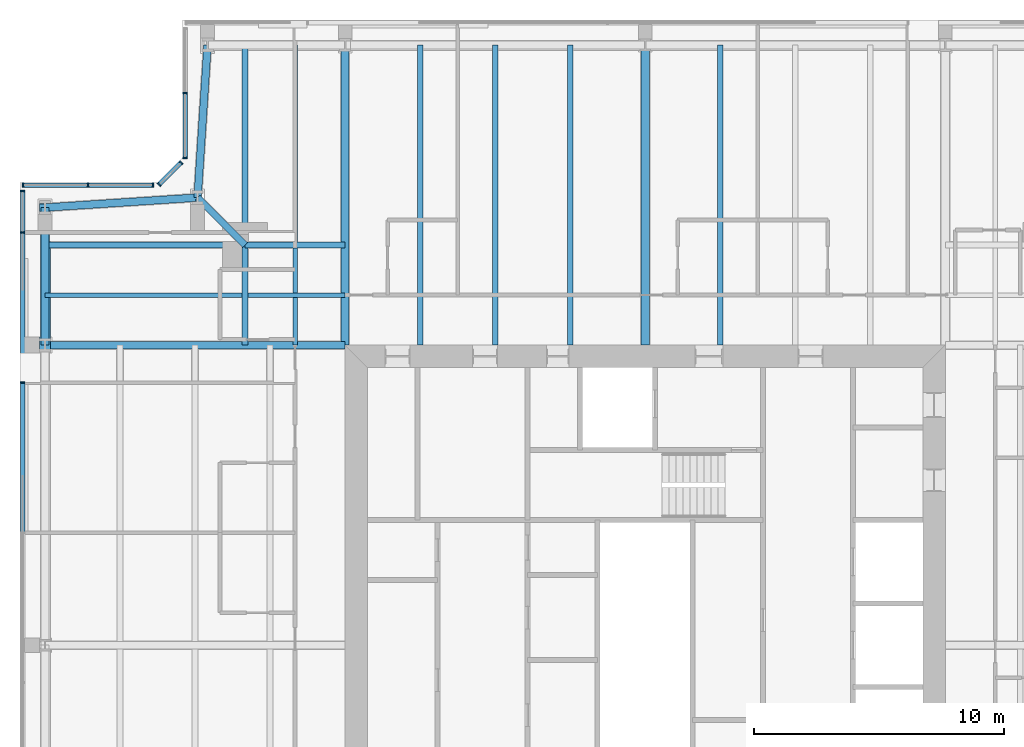
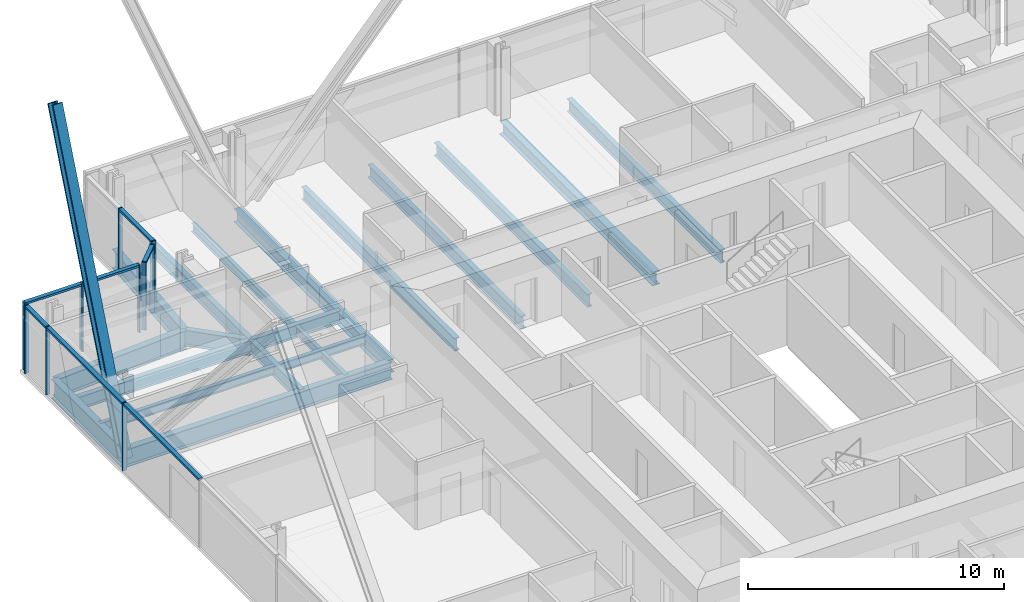
# One storey, part 7 of 18: 20 beams, 18 members, 4 elements without a shape of their own.
"""IFC4 building model written with IfcOpenShell, lengths in metres."""

import ifcopenshell
import ifcopenshell.guid

model = None  # the IFC model being written
_history = None  # IfcOwnerHistory: only IFC2X3 demands one
_inside = {}  # id of a spatial element -> (the spatial element, [elements in it])
_under = {}  # id of a project, library or spatial element -> (it, [spatial elements below it])
_declared = {}  # id of a project -> (the project, [libraries it declares])
_typed = {}  # id of a type object -> (the type object, [elements of that type])
_made_of = {}  # id of a material, layer set ... -> (it, [elements and type objects made of it])


def new_model(schema):
    """Start an empty IFC model of exactly this schema.

    Asked for "IFC4X3", IfcOpenShell would pick the latest addendum, in which some entities
    have other attributes; the version numbers below select the first issue.
    IFC2X3 requires an IfcOwnerHistory on every rooted entity: one is made here for all.
    """
    global model, _history
    if schema == "IFC4X3":
        model = ifcopenshell.file(schema_version=(4, 3, 0, 0))
    else:
        model = ifcopenshell.file(schema=schema)
    _inside.clear()
    _under.clear()
    _declared.clear()
    _typed.clear()
    _made_of.clear()
    _history = None
    if model.schema == "IFC2X3":
        org = make("IfcOrganization", Name="unknown")
        user = make(
            "IfcPersonAndOrganization",
            ThePerson=make("IfcPerson", FamilyName="unknown"),
            TheOrganization=org,
        )
        app = make(
            "IfcApplication",
            ApplicationDeveloper=org,
            Version="unknown",
            ApplicationFullName="unknown",
            ApplicationIdentifier="unknown",
        )
        _history = make(
            "IfcOwnerHistory",
            OwningUser=user,
            OwningApplication=app,
            ChangeAction="ADDED",
            CreationDate=0,
        )
    return model


def make(cls, **values):
    """One entity of the class cls with the attributes given. An attribute that is None is left unset."""
    return model.create_entity(
        cls, **{name: value for name, value in values.items() if value is not None}
    )


def rooted(cls, **values):
    """An entity with a GlobalId (a new one), such as an element, a storey or a relation."""
    return make(cls, GlobalId=ifcopenshell.guid.new(), OwnerHistory=_history, **values)


def si_unit(unit_type, name, prefix=None):
    """IfcSIUnit, for example si_unit("LENGTHUNIT", "METRE", prefix="MILLI")."""
    return make("IfcSIUnit", UnitType=unit_type, Prefix=prefix, Name=name)


def assignment(units):
    """IfcUnitAssignment: the units of a project."""
    return None if units is None else make("IfcUnitAssignment", Units=units)


def point(xyz):
    """IfcCartesianPoint."""
    return None if xyz is None else make("IfcCartesianPoint", Coordinates=xyz)


def direction(xyz):
    """IfcDirection."""
    return None if xyz is None else make("IfcDirection", DirectionRatios=xyz)


def frame(location, z_axis=None, x_axis=None):
    """IfcAxis2Placement3D, a coordinate frame: its origin and axes. An axis left out is left unset."""
    return make(
        "IfcAxis2Placement3D",
        Location=point(location),
        Axis=direction(z_axis),
        RefDirection=direction(x_axis),
    )


def frame_2d(location, x_axis=None):
    """IfcAxis2Placement2D, a coordinate frame in the plane: its origin and x axis."""
    return make(
        "IfcAxis2Placement2D", Location=point(location), RefDirection=direction(x_axis)
    )


def origin():
    """The frame at (0, 0, 0) with its axes left unset."""
    return frame((0.0, 0.0, 0.0))


def origin_2d():
    """The frame at (0, 0) in the plane with its x axis left unset."""
    return frame_2d((0.0, 0.0))


def place(relative_to, where):
    """IfcLocalPlacement: puts the frame where relative to a parent placement (None: the world)."""
    return make(
        "IfcLocalPlacement", PlacementRelTo=relative_to, RelativePlacement=where
    )


def context(
    kind, dimensions, precision=None, world=None, true_north=None, identifier=None
):
    """IfcGeometricRepresentationContext, for example the 3D "Model" context."""
    return make(
        "IfcGeometricRepresentationContext",
        ContextIdentifier=identifier,
        ContextType=kind,
        CoordinateSpaceDimension=dimensions,
        Precision=precision,
        WorldCoordinateSystem=world,
        TrueNorth=true_north,
    )


def subcontext(parent, identifier, kind, view, scale=None):
    """IfcGeometricRepresentationSubContext, for example "Body" below "Model"."""
    return make(
        "IfcGeometricRepresentationSubContext",
        ContextIdentifier=identifier,
        ContextType=kind,
        ParentContext=parent,
        TargetScale=scale,
        TargetView=view,
    )


def project(units=None, contexts=None):
    """IfcProject with its units and contexts."""
    return rooted(
        "IfcProject",
        Name="project",
        RepresentationContexts=contexts,
        UnitsInContext=assignment(units),
    )


def spatial(cls, under=None, at=None, **own):
    """A site, building, storey or space (cls), placed at a placement, below another one or the project."""
    s = rooted(cls, ObjectPlacement=at, **own)
    if under is not None:
        _under.setdefault(under.id(), (under, []))[1].append(s)
    return s


def profile(cls, at=None, kind="AREA", **sizes):
    """A parametric profile (cls). Its sizes go by their IFC names, for example OverallWidth=200.0."""
    return make(cls, ProfileType=kind, Position=at, **sizes)


def rectangle(**sizes):
    """IfcRectangleProfileDef."""
    return profile("IfcRectangleProfileDef", **sizes)


def i_section(**sizes):
    """IfcIShapeProfileDef."""
    return profile("IfcIShapeProfileDef", **sizes)


def extrude(swept, where, along, depth):
    """IfcExtrudedAreaSolid: the profile swept, set in the frame where, extruded along a direction by depth."""
    return make(
        "IfcExtrudedAreaSolid",
        SweptArea=swept,
        Position=where,
        ExtrudedDirection=direction(along),
        Depth=depth,
    )


def shape(context_of_items, identifier, shape_type, items):
    """IfcShapeRepresentation: the items that make up one representation, for example the "Body"."""
    return make(
        "IfcShapeRepresentation",
        ContextOfItems=context_of_items,
        RepresentationIdentifier=identifier,
        RepresentationType=shape_type,
        Items=items,
    )


def material(Name=None, Category=None):
    """IfcMaterial."""
    return make("IfcMaterial", Name=Name, Category=Category)


def material_profile(
    of_material, cross_section, Name=None, Category=None, Priority=None
):
    """IfcMaterialProfile: a cross section and its material."""
    return make(
        "IfcMaterialProfile",
        Name=Name,
        Material=of_material,
        Profile=cross_section,
        Priority=Priority,
        Category=Category,
    )


def profile_set(profiles, Name=None, composite=None):
    """IfcMaterialProfileSet."""
    return make(
        "IfcMaterialProfileSet",
        Name=Name,
        MaterialProfiles=profiles,
        CompositeProfile=composite,
    )


def made_of(thing, what):
    """Note that an element or type object is made of a material, layer set ...; save() writes the relation."""
    if what is not None:
        _made_of.setdefault(what.id(), (what, []))[1].append(thing)
    return thing


def type_object(cls, material=None, **own):
    """A type object (cls), such as IfcWallType, which elements share."""
    return made_of(rooted(cls, **own), material)


def element(
    cls,
    number,
    at=None,
    inside=None,
    cuts=None,
    type_object=None,
    material=None,
    context=None,
    identifier="Body",
    shape_type=None,
    held_by="IfcProductDefinitionShape",
    body=None,
    shapes=None,
    **own,
):
    """One element of the class cls, such as IfcWall. Its Tag is "e" and its number.

    at: its placement. inside: the storey or other place that contains it. cuts: it is an
    opening in that element (IfcRelVoidsElement). A single representation is given by context,
    identifier, shape_type and body (its items); several are given by shapes. held_by: the class
    of the entity that holds the representations. save() writes the other relations.
    """
    e = rooted(cls, Tag="e%d" % number, ObjectPlacement=at, **own)
    if body is not None:
        shapes = [shape(context, identifier, shape_type, body)]
    if shapes is not None:
        e.Representation = make(held_by, Representations=shapes)
    if inside is not None:
        _inside.setdefault(inside.id(), (inside, []))[1].append(e)
    if cuts is not None:
        rooted(
            "IfcRelVoidsElement", RelatingBuildingElement=cuts, RelatedOpeningElement=e
        )
    if type_object is not None:
        _typed.setdefault(type_object.id(), (type_object, []))[1].append(e)
    return made_of(e, material)


def aggregate(whole, parts):
    """IfcRelAggregates: a whole, such as a stair, and the parts it consists of."""
    return rooted("IfcRelAggregates", RelatingObject=whole, RelatedObjects=parts)


def save(model, path):
    """Write the relations noted so far, then the file.

    IfcRelAggregates (storeys below a building ...), IfcRelContainedInSpatialStructure (elements
    in a storey), IfcRelDefinesByType, IfcRelAssociatesMaterial and IfcRelDeclares: one each for
    every whole, place, type object, material and project.
    """
    for whole, parts in _under.values():
        aggregate(whole, parts)
    for where, things in _inside.values():
        rooted(
            "IfcRelContainedInSpatialStructure",
            RelatedElements=things,
            RelatingStructure=where,
        )
    for kind, things in _typed.values():
        rooted("IfcRelDefinesByType", RelatedObjects=things, RelatingType=kind)
    for what, things in _made_of.values():
        rooted("IfcRelAssociatesMaterial", RelatedObjects=things, RelatingMaterial=what)
    for by, libraries in _declared.values():
        rooted("IfcRelDeclares", RelatingContext=by, RelatedDefinitions=libraries)
    model.write(path)


model = new_model("IFC4")

# Units and contexts
model_context = context("Model", 3, precision=1e-05, world=origin(), true_north=direction((0.0, 1.0)))
body_context = subcontext(model_context, "Body", "Model", "MODEL_VIEW")
ifc_project = project(units=[si_unit("LENGTHUNIT", "METRE"), si_unit("AREAUNIT", "SQUARE_METRE"), si_unit("VOLUMEUNIT", "CUBIC_METRE"), si_unit("PLANEANGLEUNIT", "RADIAN"), si_unit("MASSUNIT", "GRAM", prefix="KILO")], contexts=[model_context])

# Site, building, storey
site_placement = place(None, origin())
site = spatial("IfcSite", under=ifc_project, at=site_placement, CompositionType="ELEMENT")
building_placement = place(site_placement, origin())
building = spatial("IfcBuilding", under=site, at=building_placement, Name="Fenwick Lantern Interchange", CompositionType="ELEMENT")
storey_placement = place(building_placement, frame((0.0, 0.0, 269.60009765625)))
storey = spatial("IfcBuildingStorey", under=building, at=storey_placement, Name="L64", CompositionType="ELEMENT", Elevation=269.60009765625)

# Beams
ifc_material_1 = material(Name="Steel ASTM A992 Grade 50", Category="steel")
ifc_material_profile_1 = material_profile(ifc_material_1, i_section(OverallWidth=0.3046875, OverallDepth=0.911865234375, WebThickness=0.015869140625, FlangeThickness=0.02392578125, at=origin_2d()), Name="W36X150")
ifc_profile_set_1 = profile_set([ifc_material_profile_1], Name="Steel ASTM A992 Grade 50")
beam_type_1 = type_object("IfcBeamType", Name="EDGE BEAM W36X150", PredefinedType="SPANDREL", material=ifc_profile_set_1)
for number, where, z_axis, x_axis, name in (
    (1, (7.5, 49.0, -0.60595703125), (-0.065416293237, -0.997858060337, 0.0), (0.997858060337, -0.065416293237, 0.0), "L64/FR/N/EBR1"),
    (2, (7.10009765625, 42.89990234375, -0.60595703125), (-0.997858060337, -0.065416293237, 0.0), (0.065416293237, -0.997858060337, 0.0), "L64/FR/N/EBR2"),
):
    element("IfcBeam", number, at=place(storey_placement, frame(where, z_axis=z_axis, x_axis=x_axis)), inside=storey, type_object=beam_type_1, Name=name, PredefinedType="SPANDREL", context=body_context, shape_type="SweptSolid", body=[
        extrude(i_section(OverallWidth=0.3046875, OverallDepth=0.911865234375, WebThickness=0.015869140625, FlangeThickness=0.02392578125, at=origin_2d()), origin(), (0.0, 0.0, 1.0), 6.11328125),
    ])
beam_1_placement = place(storey_placement, frame((1.0, 42.5, -0.60595703125), z_axis=(0.0, -1.0, 0.0), x_axis=(1.0, 0.0, 0.0)))
element("IfcBeam", 3, at=beam_1_placement, inside=storey, type_object=beam_type_1, Name="L64/FR/W/EB1", PredefinedType="SPANDREL", context=body_context, shape_type="SweptSolid", body=[
    extrude(i_section(OverallWidth=0.3046875, OverallDepth=0.911865234375, WebThickness=0.015869140625, FlangeThickness=0.02392578125, at=origin_2d()), origin(), (0.0, 0.0, 1.0), 5.5),
])

# Member
ifc_material_profile_2 = material_profile(ifc_material_1, i_section(OverallWidth=0.424072265625, OverallDepth=0.47509765625, WebThickness=0.0478515625, FlangeThickness=0.0771484375, at=origin_2d()), Name="W14X426")
ifc_profile_set_2 = profile_set([ifc_material_profile_2], Name="Steel ASTM A992 Grade 50")
member_type_1 = type_object("IfcMemberType", Name="FACADE BRACE W14X426", PredefinedType="BRACE", material=ifc_profile_set_2)
member_1_placement = place(storey_placement, frame((1.0, 37.0, -0.60595703125), z_axis=(0.0, 0.37491730453, 0.92705825856), x_axis=(-1.0, 0.0, 0.0)))
element("IfcMember", 4, at=member_1_placement, inside=storey, type_object=member_type_1, Name="L64/FB/W/AE", PredefinedType="BRACE", context=body_context, shape_type="SweptSolid", body=[
    extrude(i_section(OverallWidth=0.424072265625, OverallDepth=0.47509765625, WebThickness=0.0478515625, FlangeThickness=0.0771484375, at=origin_2d()), origin(), (0.0, 0.0, 1.0), 14.669921875),
])

# Beams
ifc_material_profile_3 = material_profile(ifc_material_1, i_section(OverallWidth=0.22900390625, OverallDepth=0.612060546875, WebThickness=0.011962890625, FlangeThickness=0.01953125, at=origin_2d()), Name="W24X84")
ifc_profile_set_3 = profile_set([ifc_material_profile_3], Name="Steel ASTM A992 Grade 50")
beam_type_2 = type_object("IfcBeamType", Name="FLOOR BEAM W24X84", PredefinedType="BEAM", material=ifc_profile_set_3)
for number, where, z_axis, x_axis, name in (
    (5, (28.0, 49.0, -0.4560546875), (0.0, -1.0, 0.0), (1.0, 0.0, 0.0), "L64/FR/N/R04"),
    (6, (22.0, 49.0, -0.4560546875), (0.0, -1.0, 0.0), (1.0, 0.0, 0.0), "L64/FR/N/R06"),
    (7, (19.0, 49.0, -0.4560546875), (0.0, -1.0, 0.0), (1.0, 0.0, 0.0), "L64/FR/N/R07"),
    (8, (16.0, 49.0, -0.4560546875), (0.0, -1.0, 0.0), (1.0, 0.0, 0.0), "L64/FR/N/R08"),
):
    element("IfcBeam", number, at=place(storey_placement, frame(where, z_axis=z_axis, x_axis=x_axis)), inside=storey, type_object=beam_type_2, Name=name, PredefinedType="BEAM", context=body_context, shape_type="SweptSolid", body=[
        extrude(i_section(OverallWidth=0.22900390625, OverallDepth=0.612060546875, WebThickness=0.011962890625, FlangeThickness=0.01953125, at=origin_2d()), origin(), (0.0, 0.0, 1.0), 12.0),
    ])

# Curtain wall, members
ifc_material_2 = material(Name="Aluminium curtain wall frame", Category="aluminium")
curtain_wall_type = type_object("IfcCurtainWallType", Name="HOTEL CURTAIN WALL", PredefinedType="USERDEFINED", material=ifc_material_2)
curtain_wall_1_placement = place(storey_placement, origin())
curtain_wall_1 = element("IfcCurtainWall", 9, at=curtain_wall_1_placement, inside=storey, type_object=curtain_wall_type, Name="Hotel curtain wall 10", ObjectType="HOTEL CURTAIN WALL", PredefinedType="USERDEFINED")
ifc_material_3 = material(Name="Aluminium extrusion", Category="aluminium")
ifc_material_profile_4 = material_profile(ifc_material_3, rectangle(XDim=0.179931640625, YDim=0.06005859375, at=origin_2d()), Name="HOTEL CURTAIN WALL MULLION 60 X 180")
ifc_profile_set_4 = profile_set([ifc_material_profile_4], Name="Aluminium extrusion")
member_type_2 = type_object("IfcMemberType", Name="HOTEL CURTAIN WALL MULLION 60 X 180", PredefinedType="MULLION", material=ifc_profile_set_4)
member_2_placement = place(storey_placement, frame((6.60009765625, 47.079345703125, 0.0), z_axis=(0.0, 0.0, 1.0), x_axis=(1.0, 0.0, 0.0)))
member_2 = element("IfcMember", 10, at=member_2_placement, type_object=member_type_2, Name="L64/CW/10/M01", PredefinedType="MULLION", context=body_context, shape_type="SweptSolid", body=[
    extrude(rectangle(XDim=0.179931640625, YDim=0.06005859375, at=origin_2d()), origin(), (0.0, 0.0, 1.0), 3.25),
])
member_3_placement = place(storey_placement, frame((6.60009765625, 44.488525390625, 0.0), z_axis=(0.0, 0.0, 1.0), x_axis=(1.0, 0.0, 0.0)))
member_3 = element("IfcMember", 11, at=member_3_placement, type_object=member_type_2, Name="L64/CW/10/M02", PredefinedType="MULLION", context=body_context, shape_type="SweptSolid", body=[
    extrude(rectangle(XDim=0.179931640625, YDim=0.06005859375, at=origin_2d()), origin(), (0.0, 0.0, 1.0), 3.25),
])

curtain_wall_2_placement = place(storey_placement, origin())
curtain_wall_2 = element("IfcCurtainWall", 12, at=curtain_wall_2_placement, inside=storey, type_object=curtain_wall_type, Name="Hotel curtain wall 11", ObjectType="HOTEL CURTAIN WALL", PredefinedType="USERDEFINED")
member_4_placement = place(storey_placement, frame((6.437255859375, 44.2958984375, 0.0), z_axis=(0.0, 0.0, 1.0), x_axis=(0.707106781187, -0.707106781187, 0.0)))
member_4 = element("IfcMember", 13, at=member_4_placement, type_object=member_type_2, Name="L64/CW/11/M00", PredefinedType="MULLION", context=body_context, shape_type="SweptSolid", body=[
    extrude(rectangle(XDim=0.179931640625, YDim=0.06005859375, at=origin_2d()), origin(), (0.0, 0.0, 1.0), 3.25),
])
member_5_placement = place(storey_placement, frame((5.562744140625, 43.421142578125, 0.0), z_axis=(0.0, 0.0, 1.0), x_axis=(0.707106781187, -0.707106781187, 0.0)))
member_5 = element("IfcMember", 14, at=member_5_placement, type_object=member_type_2, Name="L64/CW/11/M01", PredefinedType="MULLION", context=body_context, shape_type="SweptSolid", body=[
    extrude(rectangle(XDim=0.179931640625, YDim=0.06005859375, at=origin_2d()), origin(), (0.0, 0.0, 1.0), 3.25),
])

curtain_wall_3_placement = place(storey_placement, origin())
curtain_wall_3 = element("IfcCurtainWall", 15, at=curtain_wall_3_placement, inside=storey, type_object=curtain_wall_type, Name="Hotel curtain wall 12", ObjectType="HOTEL CURTAIN WALL", PredefinedType="USERDEFINED")
member_6_placement = place(storey_placement, frame((5.3115234375, 43.39990234375, 0.0), z_axis=(0.0, 0.0, 1.0), x_axis=(0.0, -1.0, 0.0)))
member_6 = element("IfcMember", 16, at=member_6_placement, type_object=member_type_2, Name="L64/CW/12/M00", PredefinedType="MULLION", context=body_context, shape_type="SweptSolid", body=[
    extrude(rectangle(XDim=0.179931640625, YDim=0.06005859375, at=origin_2d()), origin(), (0.0, 0.0, 1.0), 3.25),
])
member_7_placement = place(storey_placement, frame((2.720703125, 43.39990234375, 0.0), z_axis=(0.0, 0.0, 1.0), x_axis=(0.0, -1.0, 0.0)))
member_7 = element("IfcMember", 17, at=member_7_placement, type_object=member_type_2, Name="L64/CW/12/M01", PredefinedType="MULLION", context=body_context, shape_type="SweptSolid", body=[
    extrude(rectangle(XDim=0.179931640625, YDim=0.06005859375, at=origin_2d()), origin(), (0.0, 0.0, 1.0), 3.25),
])
member_8_placement = place(storey_placement, frame((0.1298828125, 43.39990234375, 0.0), z_axis=(0.0, 0.0, 1.0), x_axis=(0.0, -1.0, 0.0)))
member_8 = element("IfcMember", 18, at=member_8_placement, type_object=member_type_2, Name="L64/CW/12/M02", PredefinedType="MULLION", context=body_context, shape_type="SweptSolid", body=[
    extrude(rectangle(XDim=0.179931640625, YDim=0.06005859375, at=origin_2d()), origin(), (0.0, 0.0, 1.0), 3.25),
])

curtain_wall_4_placement = place(storey_placement, origin())
curtain_wall_4 = element("IfcCurtainWall", 19, at=curtain_wall_4_placement, inside=storey, type_object=curtain_wall_type, Name="Hotel curtain wall 13", ObjectType="HOTEL CURTAIN WALL", PredefinedType="USERDEFINED")
member_9_placement = place(storey_placement, frame((0.10009765625, 43.169921875, 0.0), z_axis=(0.0, 0.0, 1.0), x_axis=(1.0, 0.0, 0.0)))
member_9 = element("IfcMember", 20, at=member_9_placement, type_object=member_type_2, Name="L64/CW/13/M00", PredefinedType="MULLION", context=body_context, shape_type="SweptSolid", body=[
    extrude(rectangle(XDim=0.179931640625, YDim=0.06005859375, at=origin_2d()), origin(), (0.0, 0.0, 1.0), 3.25),
])
member_10_placement = place(storey_placement, frame((0.10009765625, 41.5, 0.0), z_axis=(0.0, 0.0, 1.0), x_axis=(1.0, 0.0, 0.0)))
member_10 = element("IfcMember", 21, at=member_10_placement, type_object=member_type_2, Name="L64/CW/13/M01", PredefinedType="MULLION", context=body_context, shape_type="SweptSolid", body=[
    extrude(rectangle(XDim=0.179931640625, YDim=0.06005859375, at=origin_2d()), origin(), (0.0, 0.0, 1.0), 3.25),
])
member_11_placement = place(storey_placement, frame((0.10009765625, 35.5, 0.0), z_axis=(0.0, 0.0, 1.0), x_axis=(1.0, 0.0, 0.0)))
member_11 = element("IfcMember", 22, at=member_11_placement, type_object=member_type_2, Name="L64/CW/13/M02", PredefinedType="MULLION", context=body_context, shape_type="SweptSolid", body=[
    extrude(rectangle(XDim=0.179931640625, YDim=0.06005859375, at=origin_2d()), origin(), (0.0, 0.0, 1.0), 3.25),
])

# Member
ifc_material_profile_5 = material_profile(ifc_material_3, rectangle(XDim=0.179931640625, YDim=0.10009765625, at=origin_2d()), Name="HOTEL CURTAIN WALL TRANSOM 100 X 180")
ifc_profile_set_5 = profile_set([ifc_material_profile_5], Name="Aluminium extrusion")
member_type_3 = type_object("IfcMemberType", Name="HOTEL CURTAIN WALL TRANSOM 100 X 180", PredefinedType="MULLION", material=ifc_profile_set_5)
member_12_placement = place(storey_placement, frame((6.60009765625, 47.04931640625, 3.199951171875), z_axis=(0.0, -1.0, 0.0), x_axis=(1.0, 0.0, 0.0)))
member_12 = element("IfcMember", 23, at=member_12_placement, type_object=member_type_3, Name="L64/CW/10/T01", PredefinedType="MULLION", context=body_context, shape_type="SweptSolid", body=[
    extrude(rectangle(XDim=0.179931640625, YDim=0.10009765625, at=origin_2d()), origin(), (0.0, 0.0, 1.0), 2.53076171875),
])

aggregate(curtain_wall_1, [member_2, member_3, member_12])

member_13_placement = place(storey_placement, frame((6.416259765625, 44.274658203125, 3.199951171875), z_axis=(-0.707210470133, -0.707003077033, 0.0), x_axis=(0.707003077033, -0.707210470133, 0.0)))
member_13 = element("IfcMember", 24, at=member_13_placement, type_object=member_type_3, Name="L64/CW/11/T00", PredefinedType="MULLION", context=body_context, shape_type="SweptSolid", body=[
    extrude(rectangle(XDim=0.179931640625, YDim=0.10009765625, at=origin_2d()), origin(), (0.0, 0.0, 1.0), 1.17724609375),
])

aggregate(curtain_wall_2, [member_4, member_5, member_13])

member_14_placement = place(storey_placement, frame((5.281494140625, 43.39990234375, 3.199951171875), z_axis=(-1.0, 0.0, 0.0), x_axis=(0.0, -1.0, 0.0)))
member_14 = element("IfcMember", 25, at=member_14_placement, type_object=member_type_3, Name="L64/CW/12/T00", PredefinedType="MULLION", context=body_context, shape_type="SweptSolid", body=[
    extrude(rectangle(XDim=0.179931640625, YDim=0.10009765625, at=origin_2d()), origin(), (0.0, 0.0, 1.0), 2.53076171875),
])

member_15_placement = place(storey_placement, frame((2.690673828125, 43.39990234375, 3.199951171875), z_axis=(-1.0, 0.0, 0.0), x_axis=(0.0, -1.0, 0.0)))
member_15 = element("IfcMember", 26, at=member_15_placement, type_object=member_type_3, Name="L64/CW/12/T01", PredefinedType="MULLION", context=body_context, shape_type="SweptSolid", body=[
    extrude(rectangle(XDim=0.179931640625, YDim=0.10009765625, at=origin_2d()), origin(), (0.0, 0.0, 1.0), 2.53076171875),
])

aggregate(curtain_wall_3, [member_6, member_7, member_8, member_14, member_15])

member_16_placement = place(storey_placement, frame((0.10009765625, 43.139892578125, 3.199951171875), z_axis=(0.0, -1.0, 0.0), x_axis=(1.0, 0.0, 0.0)))
member_16 = element("IfcMember", 27, at=member_16_placement, type_object=member_type_3, Name="L64/CW/13/T00", PredefinedType="MULLION", context=body_context, shape_type="SweptSolid", body=[
    extrude(rectangle(XDim=0.179931640625, YDim=0.10009765625, at=origin_2d()), origin(), (0.0, 0.0, 1.0), 1.60986328125),
])

member_17_placement = place(storey_placement, frame((0.10009765625, 41.469970703125, 3.199951171875), z_axis=(0.0, -1.0, 0.0), x_axis=(1.0, 0.0, 0.0)))
member_17 = element("IfcMember", 28, at=member_17_placement, type_object=member_type_3, Name="L64/CW/13/T01", PredefinedType="MULLION", context=body_context, shape_type="SweptSolid", body=[
    extrude(rectangle(XDim=0.179931640625, YDim=0.10009765625, at=origin_2d()), origin(), (0.0, 0.0, 1.0), 5.93994140625),
])

member_18_placement = place(storey_placement, frame((0.10009765625, 35.469970703125, 3.199951171875), z_axis=(0.0, -1.0, 0.0), x_axis=(1.0, 0.0, 0.0)))
member_18 = element("IfcMember", 29, at=member_18_placement, type_object=member_type_3, Name="L64/CW/13/T02", PredefinedType="MULLION", context=body_context, shape_type="SweptSolid", body=[
    extrude(rectangle(XDim=0.179931640625, YDim=0.10009765625, at=origin_2d()), origin(), (0.0, 0.0, 1.0), 5.93994140625),
])

aggregate(curtain_wall_4, [member_9, member_10, member_11, member_16, member_17, member_18])

# Beams
ifc_material_profile_6 = material_profile(ifc_material_1, i_section(OverallWidth=0.177734375, OverallDepth=0.406494140625, WebThickness=0.0078125, FlangeThickness=0.012939453125, at=origin_2d()), Name="W16X40")
ifc_profile_set_6 = profile_set([ifc_material_profile_6], Name="Steel ASTM A992 Grade 50")
beam_type_3 = type_object("IfcBeamType", Name="INFILL BEAM W16X40", PredefinedType="JOIST", material=ifc_profile_set_6)
beam_2_placement = place(storey_placement, frame((1.0, 39.0, -0.353271484375), z_axis=(1.0, 0.0, 0.0), x_axis=(0.0, 1.0, 0.0)))
element("IfcBeam", 30, at=beam_2_placement, inside=storey, type_object=beam_type_3, Name="L64/FR/W/J1", PredefinedType="JOIST", context=body_context, shape_type="SweptSolid", body=[
    extrude(i_section(OverallWidth=0.177734375, OverallDepth=0.406494140625, WebThickness=0.0078125, FlangeThickness=0.012939453125, at=origin_2d()), origin(), (0.0, 0.0, 1.0), 7.885498046875),
])
beam_3_placement = place(storey_placement, frame((9.114501953125, 39.0, -0.353271484375), z_axis=(1.0, 0.0, 0.0), x_axis=(0.0, 1.0, 0.0)))
element("IfcBeam", 31, at=beam_3_placement, inside=storey, type_object=beam_type_3, Name="L64/FR/W/J2", PredefinedType="JOIST", context=body_context, shape_type="SweptSolid", body=[
    extrude(i_section(OverallWidth=0.177734375, OverallDepth=0.406494140625, WebThickness=0.0078125, FlangeThickness=0.012939453125, at=origin_2d()), origin(), (0.0, 0.0, 1.0), 3.885498046875),
])
beam_4_placement = place(storey_placement, frame((11.0, 49.0, -0.353271484375), z_axis=(0.0, -1.0, 0.0), x_axis=(1.0, 0.0, 0.0)))
element("IfcBeam", 32, at=beam_4_placement, inside=storey, type_object=beam_type_3, Name="L64/FR/W/J3", PredefinedType="JOIST", context=body_context, shape_type="SweptSolid", body=[
    extrude(i_section(OverallWidth=0.177734375, OverallDepth=0.406494140625, WebThickness=0.0078125, FlangeThickness=0.012939453125, at=origin_2d()), origin(), (0.0, 0.0, 1.0), 7.885498046875),
])
beam_5_placement = place(storey_placement, frame((11.0, 40.885498046875, -0.353271484375), z_axis=(0.0, -1.0, 0.0), x_axis=(1.0, 0.0, 0.0)))
element("IfcBeam", 33, at=beam_5_placement, inside=storey, type_object=beam_type_3, Name="L64/FR/W/J4", PredefinedType="JOIST", context=body_context, shape_type="SweptSolid", body=[
    extrude(i_section(OverallWidth=0.177734375, OverallDepth=0.406494140625, WebThickness=0.0078125, FlangeThickness=0.012939453125, at=origin_2d()), origin(), (0.0, 0.0, 1.0), 1.796630859375),
])
beam_6_placement = place(storey_placement, frame((11.0, 38.9111328125, -0.353271484375), z_axis=(0.0, -1.0, 0.0), x_axis=(1.0, 0.0, 0.0)))
element("IfcBeam", 34, at=beam_6_placement, inside=storey, type_object=beam_type_3, Name="L64/FR/W/J5", PredefinedType="JOIST", context=body_context, shape_type="SweptSolid", body=[
    extrude(i_section(OverallWidth=0.177734375, OverallDepth=0.406494140625, WebThickness=0.0078125, FlangeThickness=0.012939453125, at=origin_2d()), origin(), (0.0, 0.0, 1.0), 1.9111328125),
])
ifc_material_profile_7 = material_profile(ifc_material_1, i_section(OverallWidth=0.22900390625, OverallDepth=0.612060546875, WebThickness=0.011962890625, FlangeThickness=0.01953125, at=origin_2d()), Name="W24X84")
ifc_profile_set_7 = profile_set([ifc_material_profile_7], Name="Steel ASTM A992 Grade 50")
beam_type_4 = type_object("IfcBeamType", Name="MEGA COLUMN BEAM W24X84", PredefinedType="BEAM", material=ifc_profile_set_7)
for number, where, z_axis, x_axis, name in (
    (35, (9.0, 41.0, -0.4560546875), (-1.0, 0.0, 0.0), (0.0, -1.0, 0.0), "L64/FR/W/MB1"),
    (36, (9.0, 41.0, -0.4560546875), (0.0, 1.0, 0.0), (-1.0, 0.0, 0.0), "L64/FR/W/MB2"),
):
    element("IfcBeam", number, at=place(storey_placement, frame(where, z_axis=z_axis, x_axis=x_axis)), inside=storey, type_object=beam_type_4, Name=name, PredefinedType="BEAM", context=body_context, shape_type="SweptSolid", body=[
        extrude(i_section(OverallWidth=0.22900390625, OverallDepth=0.612060546875, WebThickness=0.011962890625, FlangeThickness=0.01953125, at=origin_2d()), origin(), (0.0, 0.0, 1.0), 8.0),
    ])
for number, where, z_axis, x_axis, name in (
    (37, (9.0, 41.0, -0.4560546875), (0.0, -1.0, 0.0), (1.0, 0.0, 0.0), "L64/FR/W/MB3"),
    (38, (9.0, 41.0, -0.4560546875), (1.0, 0.0, 0.0), (0.0, 1.0, 0.0), "L64/FR/W/MB4"),
):
    element("IfcBeam", number, at=place(storey_placement, frame(where, z_axis=z_axis, x_axis=x_axis)), inside=storey, type_object=beam_type_4, Name=name, PredefinedType="BEAM", context=body_context, shape_type="SweptSolid", body=[
        extrude(i_section(OverallWidth=0.22900390625, OverallDepth=0.612060546875, WebThickness=0.011962890625, FlangeThickness=0.01953125, at=origin_2d()), origin(), (0.0, 0.0, 1.0), 4.0),
    ])
ifc_material_profile_8 = material_profile(ifc_material_1, i_section(OverallWidth=0.32763671875, OverallDepth=0.622314453125, WebThickness=0.015380859375, FlangeThickness=0.0244140625, at=origin_2d()), Name="W24X131")
ifc_profile_set_8 = profile_set([ifc_material_profile_8], Name="Steel ASTM A992 Grade 50")
beam_type_5 = type_object("IfcBeamType", Name="MOMENT-CONNECTED GIRDER W24X131", PredefinedType="BEAM", material=ifc_profile_set_8)
for number, where, z_axis, x_axis, name in (
    (39, (25.0, 49.0, -0.461181640625), (0.0, -1.0, 0.0), (1.0, 0.0, 0.0), "L64/FR/N/R05"),
    (40, (13.0, 49.0, -0.461181640625), (0.0, -1.0, 0.0), (1.0, 0.0, 0.0), "L64/FR/N/R09"),
):
    element("IfcBeam", number, at=place(storey_placement, frame(where, z_axis=z_axis, x_axis=x_axis)), inside=storey, type_object=beam_type_5, Name=name, PredefinedType="BEAM", context=body_context, shape_type="SweptSolid", body=[
        extrude(i_section(OverallWidth=0.32763671875, OverallDepth=0.622314453125, WebThickness=0.015380859375, FlangeThickness=0.0244140625, at=origin_2d()), origin(), (0.0, 0.0, 1.0), 12.0),
    ])
ifc_material_profile_9 = material_profile(ifc_material_1, i_section(OverallWidth=0.2919921875, OverallDepth=0.845703125, WebThickness=0.015380859375, FlangeThickness=0.0244140625, at=origin_2d()), Name="W33X141")
ifc_profile_set_9 = profile_set([ifc_material_profile_9], Name="Steel ASTM A992 Grade 50")
beam_type_6 = type_object("IfcBeamType", Name="MOMENT-CONNECTED GIRDER W33X141", PredefinedType="BEAM", material=ifc_profile_set_9)
beam_7_placement = place(storey_placement, frame((1.0, 37.0, -0.572998046875), z_axis=(1.0, 0.0, 0.0), x_axis=(0.0, 1.0, 0.0)))
element("IfcBeam", 41, at=beam_7_placement, inside=storey, type_object=beam_type_6, Name="L64/FR/W/R01", PredefinedType="BEAM", context=body_context, shape_type="SweptSolid", body=[
    extrude(i_section(OverallWidth=0.2919921875, OverallDepth=0.845703125, WebThickness=0.015380859375, FlangeThickness=0.0244140625, at=origin_2d()), origin(), (0.0, 0.0, 1.0), 12.0),
])
ifc_material_profile_10 = material_profile(ifc_material_1, i_section(OverallWidth=0.2666015625, OverallDepth=0.7568359375, WebThickness=0.013916015625, FlangeThickness=0.019287109375, at=origin_2d()), Name="W30X108")
ifc_profile_set_10 = profile_set([ifc_material_profile_10], Name="Steel ASTM A992 Grade 50")
beam_type_7 = type_object("IfcBeamType", Name="NOTCH BEAM W30X108", PredefinedType="BEAM", material=ifc_profile_set_10)
beam_8_placement = place(storey_placement, frame((9.0, 41.0, -0.528564453125), z_axis=(-0.707106781187, 0.707106781187, 0.0), x_axis=(-0.707106781187, -0.707106781187, 0.0)))
element("IfcBeam", 42, at=beam_8_placement, inside=storey, type_object=beam_type_7, Name="L64/FR/W/TG", PredefinedType="BEAM", context=body_context, shape_type="SweptSolid", body=[
    extrude(i_section(OverallWidth=0.2666015625, OverallDepth=0.7568359375, WebThickness=0.013916015625, FlangeThickness=0.019287109375, at=origin_2d()), origin(), (0.0, 0.0, 1.0), 2.686767578125),
])

save(model, "model.ifc")
